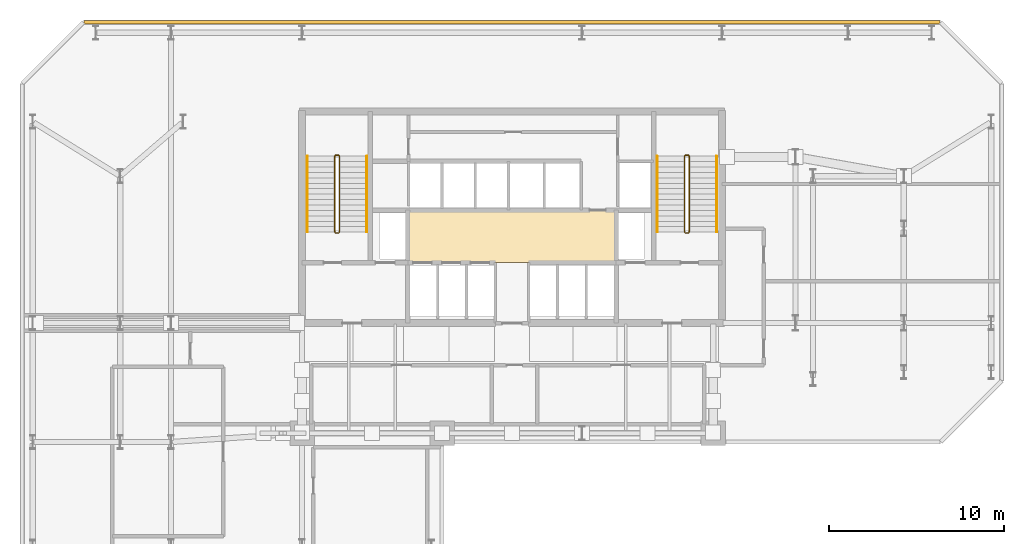
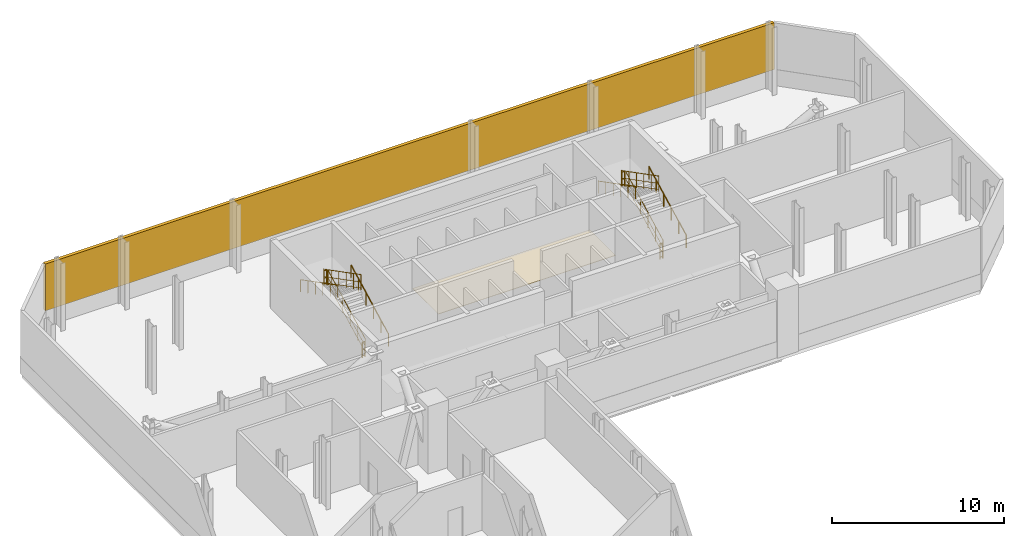
# One storey, part 7 of 8: 12 railings, 1 covering, 1 shading device.
"""IFC4 building model written with IfcOpenShell, lengths in metres."""

from ifc_helpers import new_model, si_unit, direction, frame, origin, origin_2d, place, context, subcontext, project, spatial, polyline, rectangle, circle, outline, extrude, material, layer, layer_set, type_object, element, save


model = new_model("IFC4")

# Units and contexts
model_context = context("Model", 3, precision=1e-05, world=origin(), true_north=direction((0.0, 1.0)))
body_context = subcontext(model_context, "Body", "Model", "MODEL_VIEW")
ifc_project = project(units=[si_unit("LENGTHUNIT", "METRE"), si_unit("AREAUNIT", "SQUARE_METRE"), si_unit("VOLUMEUNIT", "CUBIC_METRE"), si_unit("PLANEANGLEUNIT", "RADIAN"), si_unit("MASSUNIT", "GRAM", prefix="KILO")], contexts=[model_context])

# Site, building, storey
site_placement = place(None, origin())
site = spatial("IfcSite", under=ifc_project, at=site_placement, CompositionType="ELEMENT")
building_placement = place(site_placement, origin())
building = spatial("IfcBuilding", under=site, at=building_placement, Name="Catumbela Crestline Tower", CompositionType="ELEMENT")
storey_placement = place(building_placement, frame((0.0, 0.0, 79.8)))
storey = spatial("IfcBuildingStorey", under=building, at=storey_placement, Name="L20", CompositionType="ELEMENT", Elevation=79.8)

# Covering
ifc_material_1 = material(Name="Mineral-fibre acoustic ceiling")
ifc_layer = layer(ifc_material_1, 0.03, Name="Mineral-fibre acoustic ceiling")
ifc_layer_set = layer_set([ifc_layer], Name="Mineral-fibre acoustic ceiling")
covering_type = type_object("IfcCoveringType", Name="CC-AC", PredefinedType="CEILING", material=ifc_layer_set)
covering_placement = place(storey_placement, frame((0.0, 0.0, 2.65)))
element("IfcCovering", 1, at=covering_placement, inside=storey, type_object=covering_type, Name="L20 Lift Lobby Acoustic Ceiling", PredefinedType="CEILING", context=body_context, shape_type="SweptSolid", body=[
    extrude(outline(polyline([(22.05, 34.25), (33.95, 34.25), (33.95, 37.25), (22.05, 37.25), (22.05, 34.25)])), origin(), (0.0, 0.0, 1.0), 0.03),
])

# Railings
ifc_material_2 = material(Name="Stainless steel EN 1.4401", Category="steel")
railing_type_1 = type_object("IfcRailingType", Name="RG-1100", PredefinedType="GUARDRAIL", material=ifc_material_2)
railing_1_placement = place(storey_placement, frame((18.14, 36.0, 0.16)))
element("IfcRailing", 2, at=railing_1_placement, inside=storey, type_object=railing_type_1, Name="L20 ST-01 stair guard 1", PredefinedType="GUARDRAIL", context=body_context, shape_type="SweptSolid", body=[
    extrude(circle(Radius=0.024, at=origin_2d()), frame((0.0, 0.0, 1.076), z_axis=(0.0, 0.888620657055, 0.45864291977), x_axis=(-1.0, 0.0, 0.0)), (0.0, 0.0, 1.0), 4.884),
    extrude(circle(Radius=0.0156, at=origin_2d()), frame((0.0, 0.0, 0.55), z_axis=(0.0, 0.888620657055, 0.45864291977), x_axis=(-1.0, 0.0, 0.0)), (0.0, 0.0, 1.0), 4.884),
    extrude(circle(Radius=0.0156, at=origin_2d()), frame((0.0, 0.0, 0.12), z_axis=(0.0, 0.888620657055, 0.45864291977), x_axis=(-1.0, 0.0, 0.0)), (0.0, 0.0, 1.0), 4.884),
    extrude(circle(Radius=0.021, at=origin_2d()), origin(), (0.0, 0.0, 1.0), 1.052),
    extrude(circle(Radius=0.021, at=origin_2d()), frame((0.0, 0.868, 0.448)), (0.0, 0.0, 1.0), 1.052),
    extrude(circle(Radius=0.021, at=origin_2d()), frame((0.0, 1.736, 0.896)), (0.0, 0.0, 1.0), 1.052),
    extrude(circle(Radius=0.021, at=origin_2d()), frame((0.0, 2.604, 1.344)), (0.0, 0.0, 1.0), 1.052),
    extrude(circle(Radius=0.021, at=origin_2d()), frame((0.0, 3.472, 1.792)), (0.0, 0.0, 1.0), 1.052),
    extrude(circle(Radius=0.021, at=origin_2d()), frame((0.0, 4.34, 2.24)), (0.0, 0.0, 1.0), 1.052),
])
railing_2_placement = place(storey_placement, frame((18.09, 40.39, 2.4)))
element("IfcRailing", 3, at=railing_2_placement, inside=storey, type_object=railing_type_1, Name="L20 ST-01 stair guard 2", PredefinedType="GUARDRAIL", context=body_context, shape_type="SweptSolid", body=[
    extrude(circle(Radius=0.024, at=origin_2d()), frame((0.0, 0.0, 1.076), z_axis=(-1.0, 0.0, 0.0), x_axis=(0.0, -1.0, 0.0)), (0.0, 0.0, 1.0), 0.18),
    extrude(circle(Radius=0.0156, at=origin_2d()), frame((0.0, 0.0, 0.55), z_axis=(-1.0, 0.0, 0.0), x_axis=(0.0, -1.0, 0.0)), (0.0, 0.0, 1.0), 0.18),
    extrude(circle(Radius=0.0156, at=origin_2d()), frame((0.0, 0.0, 0.12), z_axis=(-1.0, 0.0, 0.0), x_axis=(0.0, -1.0, 0.0)), (0.0, 0.0, 1.0), 0.18),
    extrude(circle(Radius=0.021, at=origin_2d()), origin(), (0.0, 0.0, 1.0), 1.052),
    extrude(circle(Radius=0.021, at=origin_2d()), frame((-0.18, 0.0, 0.0)), (0.0, 0.0, 1.0), 1.052),
])
railing_3_placement = place(storey_placement, frame((17.86, 40.34, 2.56)))
element("IfcRailing", 4, at=railing_3_placement, inside=storey, type_object=railing_type_1, Name="L20 ST-01 stair guard 3", PredefinedType="GUARDRAIL", context=body_context, shape_type="SweptSolid", body=[
    extrude(circle(Radius=0.024, at=origin_2d()), frame((0.0, 0.0, 1.076), z_axis=(0.0, -0.888620657055, 0.45864291977), x_axis=(1.0, 0.0, 0.0)), (0.0, 0.0, 1.0), 4.884),
    extrude(circle(Radius=0.0156, at=origin_2d()), frame((0.0, 0.0, 0.55), z_axis=(0.0, -0.888620657055, 0.45864291977), x_axis=(1.0, 0.0, 0.0)), (0.0, 0.0, 1.0), 4.884),
    extrude(circle(Radius=0.0156, at=origin_2d()), frame((0.0, 0.0, 0.12), z_axis=(0.0, -0.888620657055, 0.45864291977), x_axis=(1.0, 0.0, 0.0)), (0.0, 0.0, 1.0), 4.884),
    extrude(circle(Radius=0.021, at=origin_2d()), origin(), (0.0, 0.0, 1.0), 1.052),
    extrude(circle(Radius=0.021, at=origin_2d()), frame((0.0, -0.868, 0.448)), (0.0, 0.0, 1.0), 1.052),
    extrude(circle(Radius=0.021, at=origin_2d()), frame((0.0, -1.736, 0.896)), (0.0, 0.0, 1.0), 1.052),
    extrude(circle(Radius=0.021, at=origin_2d()), frame((0.0, -2.604, 1.344)), (0.0, 0.0, 1.0), 1.052),
    extrude(circle(Radius=0.021, at=origin_2d()), frame((0.0, -3.472, 1.792)), (0.0, 0.0, 1.0), 1.052),
    extrude(circle(Radius=0.021, at=origin_2d()), frame((0.0, -4.34, 2.24)), (0.0, 0.0, 1.0), 1.052),
])
railing_4_placement = place(storey_placement, frame((18.09, 35.95, 0.0)))
element("IfcRailing", 5, at=railing_4_placement, inside=storey, type_object=railing_type_1, Name="L20 ST-01 stair guard 4", PredefinedType="GUARDRAIL", context=body_context, shape_type="SweptSolid", body=[
    extrude(circle(Radius=0.024, at=origin_2d()), frame((0.0, 0.0, 1.076), z_axis=(-1.0, 0.0, 0.0), x_axis=(0.0, -1.0, 0.0)), (0.0, 0.0, 1.0), 0.18),
    extrude(circle(Radius=0.0156, at=origin_2d()), frame((0.0, 0.0, 0.55), z_axis=(-1.0, 0.0, 0.0), x_axis=(0.0, -1.0, 0.0)), (0.0, 0.0, 1.0), 0.18),
    extrude(circle(Radius=0.0156, at=origin_2d()), frame((0.0, 0.0, 0.12), z_axis=(-1.0, 0.0, 0.0), x_axis=(0.0, -1.0, 0.0)), (0.0, 0.0, 1.0), 0.18),
    extrude(circle(Radius=0.021, at=origin_2d()), origin(), (0.0, 0.0, 1.0), 1.052),
    extrude(circle(Radius=0.021, at=origin_2d()), frame((-0.18, 0.0, 0.0)), (0.0, 0.0, 1.0), 1.052),
])
railing_5_placement = place(storey_placement, frame((38.14, 36.0, 0.16)))
element("IfcRailing", 6, at=railing_5_placement, inside=storey, type_object=railing_type_1, Name="L20 ST-02 stair guard 1", PredefinedType="GUARDRAIL", context=body_context, shape_type="SweptSolid", body=[
    extrude(circle(Radius=0.024, at=origin_2d()), frame((0.0, 0.0, 1.076), z_axis=(0.0, 0.888620657055, 0.45864291977), x_axis=(-1.0, 0.0, 0.0)), (0.0, 0.0, 1.0), 4.884),
    extrude(circle(Radius=0.0156, at=origin_2d()), frame((0.0, 0.0, 0.55), z_axis=(0.0, 0.888620657055, 0.45864291977), x_axis=(-1.0, 0.0, 0.0)), (0.0, 0.0, 1.0), 4.884),
    extrude(circle(Radius=0.0156, at=origin_2d()), frame((0.0, 0.0, 0.12), z_axis=(0.0, 0.888620657055, 0.45864291977), x_axis=(-1.0, 0.0, 0.0)), (0.0, 0.0, 1.0), 4.884),
    extrude(circle(Radius=0.021, at=origin_2d()), origin(), (0.0, 0.0, 1.0), 1.052),
    extrude(circle(Radius=0.021, at=origin_2d()), frame((0.0, 0.868, 0.448)), (0.0, 0.0, 1.0), 1.052),
    extrude(circle(Radius=0.021, at=origin_2d()), frame((0.0, 1.736, 0.896)), (0.0, 0.0, 1.0), 1.052),
    extrude(circle(Radius=0.021, at=origin_2d()), frame((0.0, 2.604, 1.344)), (0.0, 0.0, 1.0), 1.052),
    extrude(circle(Radius=0.021, at=origin_2d()), frame((0.0, 3.472, 1.792)), (0.0, 0.0, 1.0), 1.052),
    extrude(circle(Radius=0.021, at=origin_2d()), frame((0.0, 4.34, 2.24)), (0.0, 0.0, 1.0), 1.052),
])
railing_6_placement = place(storey_placement, frame((38.09, 40.39, 2.4)))
element("IfcRailing", 7, at=railing_6_placement, inside=storey, type_object=railing_type_1, Name="L20 ST-02 stair guard 2", PredefinedType="GUARDRAIL", context=body_context, shape_type="SweptSolid", body=[
    extrude(circle(Radius=0.024, at=origin_2d()), frame((0.0, 0.0, 1.076), z_axis=(-1.0, 0.0, 0.0), x_axis=(0.0, -1.0, 0.0)), (0.0, 0.0, 1.0), 0.18),
    extrude(circle(Radius=0.0156, at=origin_2d()), frame((0.0, 0.0, 0.55), z_axis=(-1.0, 0.0, 0.0), x_axis=(0.0, -1.0, 0.0)), (0.0, 0.0, 1.0), 0.18),
    extrude(circle(Radius=0.0156, at=origin_2d()), frame((0.0, 0.0, 0.12), z_axis=(-1.0, 0.0, 0.0), x_axis=(0.0, -1.0, 0.0)), (0.0, 0.0, 1.0), 0.18),
    extrude(circle(Radius=0.021, at=origin_2d()), origin(), (0.0, 0.0, 1.0), 1.052),
    extrude(circle(Radius=0.021, at=origin_2d()), frame((-0.18, 0.0, 0.0)), (0.0, 0.0, 1.0), 1.052),
])
railing_7_placement = place(storey_placement, frame((37.86, 40.34, 2.56)))
element("IfcRailing", 8, at=railing_7_placement, inside=storey, type_object=railing_type_1, Name="L20 ST-02 stair guard 3", PredefinedType="GUARDRAIL", context=body_context, shape_type="SweptSolid", body=[
    extrude(circle(Radius=0.024, at=origin_2d()), frame((0.0, 0.0, 1.076), z_axis=(0.0, -0.888620657055, 0.45864291977), x_axis=(1.0, 0.0, 0.0)), (0.0, 0.0, 1.0), 4.884),
    extrude(circle(Radius=0.0156, at=origin_2d()), frame((0.0, 0.0, 0.55), z_axis=(0.0, -0.888620657055, 0.45864291977), x_axis=(1.0, 0.0, 0.0)), (0.0, 0.0, 1.0), 4.884),
    extrude(circle(Radius=0.0156, at=origin_2d()), frame((0.0, 0.0, 0.12), z_axis=(0.0, -0.888620657055, 0.45864291977), x_axis=(1.0, 0.0, 0.0)), (0.0, 0.0, 1.0), 4.884),
    extrude(circle(Radius=0.021, at=origin_2d()), origin(), (0.0, 0.0, 1.0), 1.052),
    extrude(circle(Radius=0.021, at=origin_2d()), frame((0.0, -0.868, 0.448)), (0.0, 0.0, 1.0), 1.052),
    extrude(circle(Radius=0.021, at=origin_2d()), frame((0.0, -1.736, 0.896)), (0.0, 0.0, 1.0), 1.052),
    extrude(circle(Radius=0.021, at=origin_2d()), frame((0.0, -2.604, 1.344)), (0.0, 0.0, 1.0), 1.052),
    extrude(circle(Radius=0.021, at=origin_2d()), frame((0.0, -3.472, 1.792)), (0.0, 0.0, 1.0), 1.052),
    extrude(circle(Radius=0.021, at=origin_2d()), frame((0.0, -4.34, 2.24)), (0.0, 0.0, 1.0), 1.052),
])
railing_8_placement = place(storey_placement, frame((38.09, 35.95, 0.0)))
element("IfcRailing", 9, at=railing_8_placement, inside=storey, type_object=railing_type_1, Name="L20 ST-02 stair guard 4", PredefinedType="GUARDRAIL", context=body_context, shape_type="SweptSolid", body=[
    extrude(circle(Radius=0.024, at=origin_2d()), frame((0.0, 0.0, 1.076), z_axis=(-1.0, 0.0, 0.0), x_axis=(0.0, -1.0, 0.0)), (0.0, 0.0, 1.0), 0.18),
    extrude(circle(Radius=0.0156, at=origin_2d()), frame((0.0, 0.0, 0.55), z_axis=(-1.0, 0.0, 0.0), x_axis=(0.0, -1.0, 0.0)), (0.0, 0.0, 1.0), 0.18),
    extrude(circle(Radius=0.0156, at=origin_2d()), frame((0.0, 0.0, 0.12), z_axis=(-1.0, 0.0, 0.0), x_axis=(0.0, -1.0, 0.0)), (0.0, 0.0, 1.0), 0.18),
    extrude(circle(Radius=0.021, at=origin_2d()), origin(), (0.0, 0.0, 1.0), 1.052),
    extrude(circle(Radius=0.021, at=origin_2d()), frame((-0.18, 0.0, 0.0)), (0.0, 0.0, 1.0), 1.052),
])
railing_type_2 = type_object("IfcRailingType", Name="RH-0900", PredefinedType="HANDRAIL", material=ifc_material_2)
railing_9_placement = place(storey_placement, frame((19.7, 36.0, 0.16)))
element("IfcRailing", 10, at=railing_9_placement, inside=storey, type_object=railing_type_2, Name="L20 ST-01 stair handrail 1", PredefinedType="HANDRAIL", context=body_context, shape_type="SweptSolid", body=[
    extrude(circle(Radius=0.024, at=origin_2d()), frame((0.0, 0.0, 0.876), z_axis=(0.0, 0.888620657055, 0.45864291977), x_axis=(-1.0, 0.0, 0.0)), (0.0, 0.0, 1.0), 4.884),
    extrude(circle(Radius=0.021, at=origin_2d()), origin(), (0.0, 0.0, 1.0), 0.852),
    extrude(circle(Radius=0.021, at=origin_2d()), frame((0.0, 0.868, 0.448)), (0.0, 0.0, 1.0), 0.852),
    extrude(circle(Radius=0.021, at=origin_2d()), frame((0.0, 1.736, 0.896)), (0.0, 0.0, 1.0), 0.852),
    extrude(circle(Radius=0.021, at=origin_2d()), frame((0.0, 2.604, 1.344)), (0.0, 0.0, 1.0), 0.852),
    extrude(circle(Radius=0.021, at=origin_2d()), frame((0.0, 3.472, 1.792)), (0.0, 0.0, 1.0), 0.852),
    extrude(circle(Radius=0.021, at=origin_2d()), frame((0.0, 4.34, 2.24)), (0.0, 0.0, 1.0), 0.852),
])
railing_10_placement = place(storey_placement, frame((16.3, 40.34, 2.56)))
element("IfcRailing", 11, at=railing_10_placement, inside=storey, type_object=railing_type_2, Name="L20 ST-01 stair handrail 2", PredefinedType="HANDRAIL", context=body_context, shape_type="SweptSolid", body=[
    extrude(circle(Radius=0.024, at=origin_2d()), frame((0.0, 0.0, 0.876), z_axis=(0.0, -0.888620657055, 0.45864291977), x_axis=(1.0, 0.0, 0.0)), (0.0, 0.0, 1.0), 4.884),
    extrude(circle(Radius=0.021, at=origin_2d()), origin(), (0.0, 0.0, 1.0), 0.852),
    extrude(circle(Radius=0.021, at=origin_2d()), frame((0.0, -0.868, 0.448)), (0.0, 0.0, 1.0), 0.852),
    extrude(circle(Radius=0.021, at=origin_2d()), frame((0.0, -1.736, 0.896)), (0.0, 0.0, 1.0), 0.852),
    extrude(circle(Radius=0.021, at=origin_2d()), frame((0.0, -2.604, 1.344)), (0.0, 0.0, 1.0), 0.852),
    extrude(circle(Radius=0.021, at=origin_2d()), frame((0.0, -3.472, 1.792)), (0.0, 0.0, 1.0), 0.852),
    extrude(circle(Radius=0.021, at=origin_2d()), frame((0.0, -4.34, 2.24)), (0.0, 0.0, 1.0), 0.852),
])
railing_11_placement = place(storey_placement, frame((39.7, 36.0, 0.16)))
element("IfcRailing", 12, at=railing_11_placement, inside=storey, type_object=railing_type_2, Name="L20 ST-02 stair handrail 1", PredefinedType="HANDRAIL", context=body_context, shape_type="SweptSolid", body=[
    extrude(circle(Radius=0.024, at=origin_2d()), frame((0.0, 0.0, 0.876), z_axis=(0.0, 0.888620657055, 0.45864291977), x_axis=(-1.0, 0.0, 0.0)), (0.0, 0.0, 1.0), 4.884),
    extrude(circle(Radius=0.021, at=origin_2d()), origin(), (0.0, 0.0, 1.0), 0.852),
    extrude(circle(Radius=0.021, at=origin_2d()), frame((0.0, 0.868, 0.448)), (0.0, 0.0, 1.0), 0.852),
    extrude(circle(Radius=0.021, at=origin_2d()), frame((0.0, 1.736, 0.896)), (0.0, 0.0, 1.0), 0.852),
    extrude(circle(Radius=0.021, at=origin_2d()), frame((0.0, 2.604, 1.344)), (0.0, 0.0, 1.0), 0.852),
    extrude(circle(Radius=0.021, at=origin_2d()), frame((0.0, 3.472, 1.792)), (0.0, 0.0, 1.0), 0.852),
    extrude(circle(Radius=0.021, at=origin_2d()), frame((0.0, 4.34, 2.24)), (0.0, 0.0, 1.0), 0.852),
])
railing_12_placement = place(storey_placement, frame((36.3, 40.34, 2.56)))
element("IfcRailing", 13, at=railing_12_placement, inside=storey, type_object=railing_type_2, Name="L20 ST-02 stair handrail 2", PredefinedType="HANDRAIL", context=body_context, shape_type="SweptSolid", body=[
    extrude(circle(Radius=0.024, at=origin_2d()), frame((0.0, 0.0, 0.876), z_axis=(0.0, -0.888620657055, 0.45864291977), x_axis=(1.0, 0.0, 0.0)), (0.0, 0.0, 1.0), 4.884),
    extrude(circle(Radius=0.021, at=origin_2d()), origin(), (0.0, 0.0, 1.0), 0.852),
    extrude(circle(Radius=0.021, at=origin_2d()), frame((0.0, -0.868, 0.448)), (0.0, 0.0, 1.0), 0.852),
    extrude(circle(Radius=0.021, at=origin_2d()), frame((0.0, -1.736, 0.896)), (0.0, 0.0, 1.0), 0.852),
    extrude(circle(Radius=0.021, at=origin_2d()), frame((0.0, -2.604, 1.344)), (0.0, 0.0, 1.0), 0.852),
    extrude(circle(Radius=0.021, at=origin_2d()), frame((0.0, -3.472, 1.792)), (0.0, 0.0, 1.0), 0.852),
    extrude(circle(Radius=0.021, at=origin_2d()), frame((0.0, -4.34, 2.24)), (0.0, 0.0, 1.0), 0.852),
])

# Shading device
ifc_material_3 = material(Name="Aluminium alloy AW-6060-T66", Category="aluminium")
shading_device_type = type_object("IfcShadingDeviceType", Name="SL-PLT", PredefinedType="JALOUSIE", material=ifc_material_3)
shading_device_placement = place(storey_placement, frame((28.0, 48.0, 1.11), z_axis=(0.0, 0.0, 1.0), x_axis=(-1.0, 0.0, 0.0)))
element("IfcShadingDevice", 14, at=shading_device_placement, inside=storey, type_object=shading_device_type, Name="L20 Acoustic Plant Louvre Bank 9", PredefinedType="JALOUSIE", context=body_context, shape_type="SweptSolid", body=[
    extrude(rectangle(XDim=48.96, YDim=0.22, at=origin_2d()), origin(), (0.0, 0.0, 1.0), 3.33),
])

save(model, "model.ifc")
